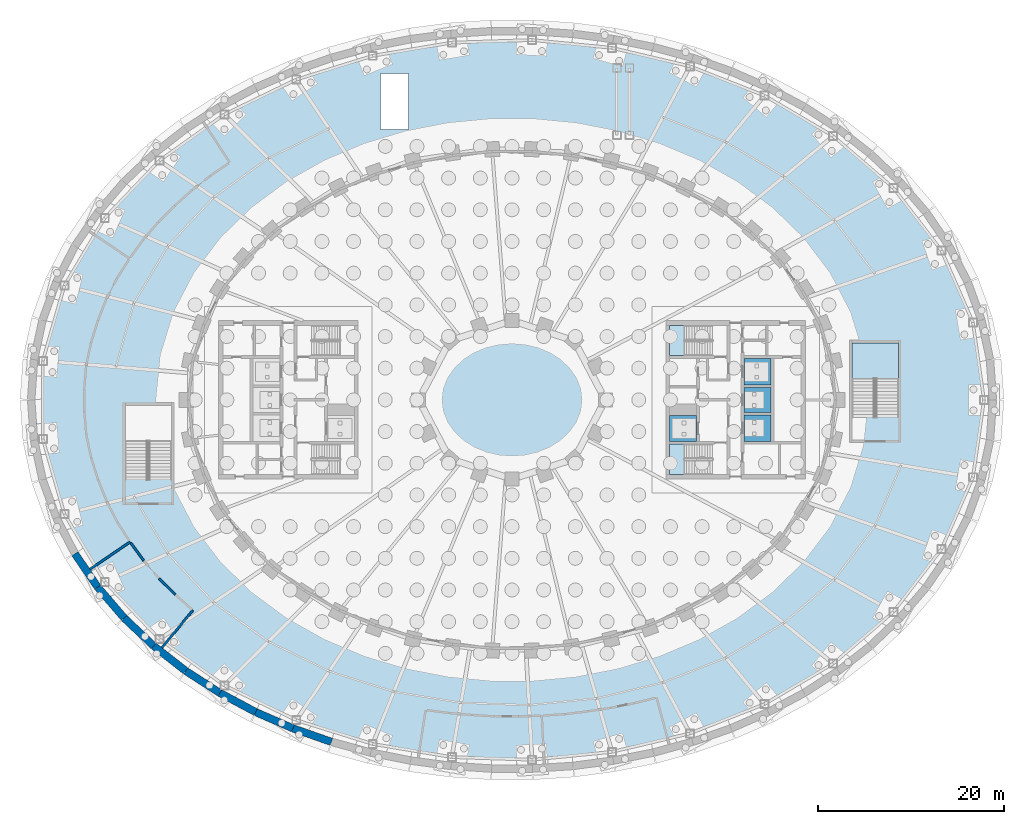
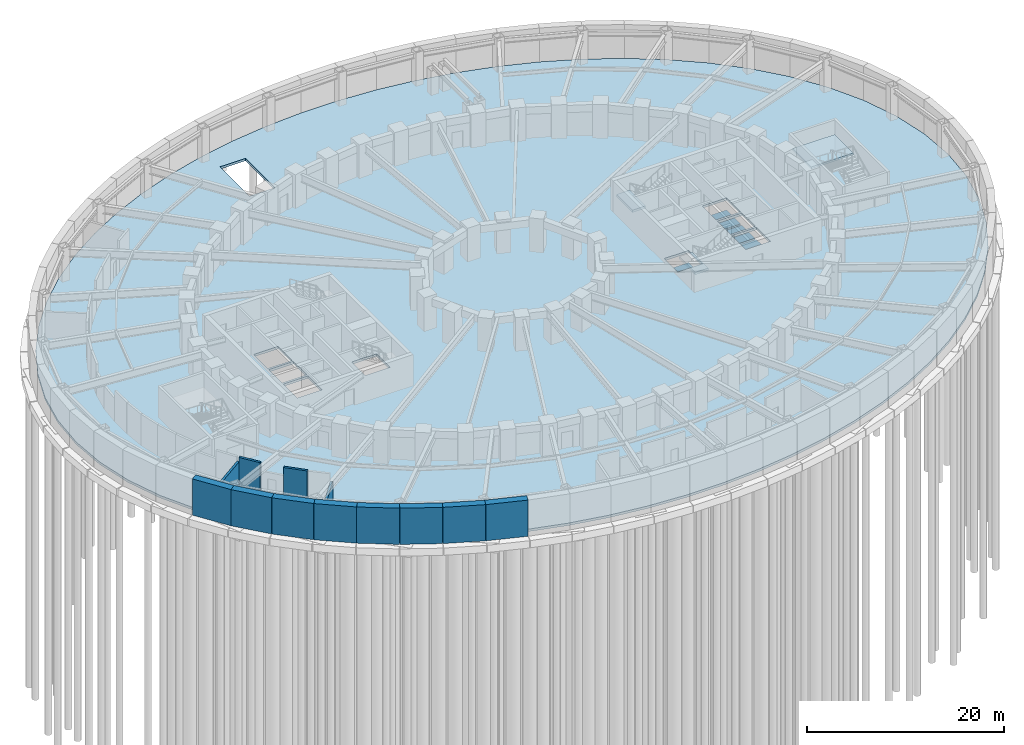
# One storey, part 9 of 19: 12 walls, 8 slabs, 3 elements without a shape of their own.
"""IFC4 building model written with IfcOpenShell, lengths in metres."""

import ifcopenshell
import ifcopenshell.guid

model = None  # the IFC model being written
_history = None  # IfcOwnerHistory: only IFC2X3 demands one
_inside = {}  # id of a spatial element -> (the spatial element, [elements in it])
_under = {}  # id of a project, library or spatial element -> (it, [spatial elements below it])
_declared = {}  # id of a project -> (the project, [libraries it declares])
_typed = {}  # id of a type object -> (the type object, [elements of that type])
_made_of = {}  # id of a material, layer set ... -> (it, [elements and type objects made of it])


def new_model(schema):
    """Start an empty IFC model of exactly this schema.

    Asked for "IFC4X3", IfcOpenShell would pick the latest addendum, in which some entities
    have other attributes; the version numbers below select the first issue.
    IFC2X3 requires an IfcOwnerHistory on every rooted entity: one is made here for all.
    """
    global model, _history
    if schema == "IFC4X3":
        model = ifcopenshell.file(schema_version=(4, 3, 0, 0))
    else:
        model = ifcopenshell.file(schema=schema)
    _inside.clear()
    _under.clear()
    _declared.clear()
    _typed.clear()
    _made_of.clear()
    _history = None
    if model.schema == "IFC2X3":
        org = make("IfcOrganization", Name="unknown")
        user = make(
            "IfcPersonAndOrganization",
            ThePerson=make("IfcPerson", FamilyName="unknown"),
            TheOrganization=org,
        )
        app = make(
            "IfcApplication",
            ApplicationDeveloper=org,
            Version="unknown",
            ApplicationFullName="unknown",
            ApplicationIdentifier="unknown",
        )
        _history = make(
            "IfcOwnerHistory",
            OwningUser=user,
            OwningApplication=app,
            ChangeAction="ADDED",
            CreationDate=0,
        )
    return model


def make(cls, **values):
    """One entity of the class cls with the attributes given. An attribute that is None is left unset."""
    return model.create_entity(
        cls, **{name: value for name, value in values.items() if value is not None}
    )


def rooted(cls, **values):
    """An entity with a GlobalId (a new one), such as an element, a storey or a relation."""
    return make(cls, GlobalId=ifcopenshell.guid.new(), OwnerHistory=_history, **values)


def si_unit(unit_type, name, prefix=None):
    """IfcSIUnit, for example si_unit("LENGTHUNIT", "METRE", prefix="MILLI")."""
    return make("IfcSIUnit", UnitType=unit_type, Prefix=prefix, Name=name)


def assignment(units):
    """IfcUnitAssignment: the units of a project."""
    return None if units is None else make("IfcUnitAssignment", Units=units)


def point(xyz):
    """IfcCartesianPoint."""
    return None if xyz is None else make("IfcCartesianPoint", Coordinates=xyz)


def direction(xyz):
    """IfcDirection."""
    return None if xyz is None else make("IfcDirection", DirectionRatios=xyz)


def frame(location, z_axis=None, x_axis=None):
    """IfcAxis2Placement3D, a coordinate frame: its origin and axes. An axis left out is left unset."""
    return make(
        "IfcAxis2Placement3D",
        Location=point(location),
        Axis=direction(z_axis),
        RefDirection=direction(x_axis),
    )


def frame_2d(location, x_axis=None):
    """IfcAxis2Placement2D, a coordinate frame in the plane: its origin and x axis."""
    return make(
        "IfcAxis2Placement2D", Location=point(location), RefDirection=direction(x_axis)
    )


def origin():
    """The frame at (0, 0, 0) with its axes left unset."""
    return frame((0.0, 0.0, 0.0))


def place(relative_to, where):
    """IfcLocalPlacement: puts the frame where relative to a parent placement (None: the world)."""
    return make(
        "IfcLocalPlacement", PlacementRelTo=relative_to, RelativePlacement=where
    )


def context(
    kind, dimensions, precision=None, world=None, true_north=None, identifier=None
):
    """IfcGeometricRepresentationContext, for example the 3D "Model" context."""
    return make(
        "IfcGeometricRepresentationContext",
        ContextIdentifier=identifier,
        ContextType=kind,
        CoordinateSpaceDimension=dimensions,
        Precision=precision,
        WorldCoordinateSystem=world,
        TrueNorth=true_north,
    )


def subcontext(parent, identifier, kind, view, scale=None):
    """IfcGeometricRepresentationSubContext, for example "Body" below "Model"."""
    return make(
        "IfcGeometricRepresentationSubContext",
        ContextIdentifier=identifier,
        ContextType=kind,
        ParentContext=parent,
        TargetScale=scale,
        TargetView=view,
    )


def project(units=None, contexts=None):
    """IfcProject with its units and contexts."""
    return rooted(
        "IfcProject",
        Name="project",
        RepresentationContexts=contexts,
        UnitsInContext=assignment(units),
    )


def spatial(cls, under=None, at=None, **own):
    """A site, building, storey or space (cls), placed at a placement, below another one or the project."""
    s = rooted(cls, ObjectPlacement=at, **own)
    if under is not None:
        _under.setdefault(under.id(), (under, []))[1].append(s)
    return s


def polyline(points):
    """IfcPolyline through the points."""
    return make("IfcPolyline", Points=[point(p) for p in points])


def profile(cls, at=None, kind="AREA", **sizes):
    """A parametric profile (cls). Its sizes go by their IFC names, for example OverallWidth=200.0."""
    return make(cls, ProfileType=kind, Position=at, **sizes)


def rectangle(**sizes):
    """IfcRectangleProfileDef."""
    return profile("IfcRectangleProfileDef", **sizes)


def outline(outer, holes=None, kind="AREA"):
    """IfcArbitraryClosedProfileDef: a profile drawn as a closed curve; with holes, ...WithVoids."""
    if holes is None:
        return make("IfcArbitraryClosedProfileDef", ProfileType=kind, OuterCurve=outer)
    return make(
        "IfcArbitraryProfileDefWithVoids",
        ProfileType=kind,
        OuterCurve=outer,
        InnerCurves=holes,
    )


def extrude(swept, where, along, depth):
    """IfcExtrudedAreaSolid: the profile swept, set in the frame where, extruded along a direction by depth."""
    return make(
        "IfcExtrudedAreaSolid",
        SweptArea=swept,
        Position=where,
        ExtrudedDirection=direction(along),
        Depth=depth,
    )


def shape(context_of_items, identifier, shape_type, items):
    """IfcShapeRepresentation: the items that make up one representation, for example the "Body"."""
    return make(
        "IfcShapeRepresentation",
        ContextOfItems=context_of_items,
        RepresentationIdentifier=identifier,
        RepresentationType=shape_type,
        Items=items,
    )


def material(Name=None, Category=None):
    """IfcMaterial."""
    return make("IfcMaterial", Name=Name, Category=Category)


def layer(
    of_material, thickness, ventilated=None, Name=None, Category=None, Priority=None
):
    """IfcMaterialLayer: one layer of a wall or slab, of a material (None: an air gap)."""
    return make(
        "IfcMaterialLayer",
        Material=of_material,
        LayerThickness=thickness,
        IsVentilated=ventilated,
        Name=Name,
        Category=Category,
        Priority=Priority,
    )


def layer_set(layers, Name=None):
    """IfcMaterialLayerSet."""
    return make("IfcMaterialLayerSet", MaterialLayers=layers, LayerSetName=Name)


def made_of(thing, what):
    """Note that an element or type object is made of a material, layer set ...; save() writes the relation."""
    if what is not None:
        _made_of.setdefault(what.id(), (what, []))[1].append(thing)
    return thing


def type_object(cls, material=None, **own):
    """A type object (cls), such as IfcWallType, which elements share."""
    return made_of(rooted(cls, **own), material)


def element(
    cls,
    number,
    at=None,
    inside=None,
    cuts=None,
    type_object=None,
    material=None,
    context=None,
    identifier="Body",
    shape_type=None,
    held_by="IfcProductDefinitionShape",
    body=None,
    shapes=None,
    **own,
):
    """One element of the class cls, such as IfcWall. Its Tag is "e" and its number.

    at: its placement. inside: the storey or other place that contains it. cuts: it is an
    opening in that element (IfcRelVoidsElement). A single representation is given by context,
    identifier, shape_type and body (its items); several are given by shapes. held_by: the class
    of the entity that holds the representations. save() writes the other relations.
    """
    e = rooted(cls, Tag="e%d" % number, ObjectPlacement=at, **own)
    if body is not None:
        shapes = [shape(context, identifier, shape_type, body)]
    if shapes is not None:
        e.Representation = make(held_by, Representations=shapes)
    if inside is not None:
        _inside.setdefault(inside.id(), (inside, []))[1].append(e)
    if cuts is not None:
        rooted(
            "IfcRelVoidsElement", RelatingBuildingElement=cuts, RelatedOpeningElement=e
        )
    if type_object is not None:
        _typed.setdefault(type_object.id(), (type_object, []))[1].append(e)
    return made_of(e, material)


def aggregate(whole, parts):
    """IfcRelAggregates: a whole, such as a stair, and the parts it consists of."""
    return rooted("IfcRelAggregates", RelatingObject=whole, RelatedObjects=parts)


def save(model, path):
    """Write the relations noted so far, then the file.

    IfcRelAggregates (storeys below a building ...), IfcRelContainedInSpatialStructure (elements
    in a storey), IfcRelDefinesByType, IfcRelAssociatesMaterial and IfcRelDeclares: one each for
    every whole, place, type object, material and project.
    """
    for whole, parts in _under.values():
        aggregate(whole, parts)
    for where, things in _inside.values():
        rooted(
            "IfcRelContainedInSpatialStructure",
            RelatedElements=things,
            RelatingStructure=where,
        )
    for kind, things in _typed.values():
        rooted("IfcRelDefinesByType", RelatedObjects=things, RelatingType=kind)
    for what, things in _made_of.values():
        rooted("IfcRelAssociatesMaterial", RelatedObjects=things, RelatingMaterial=what)
    for by, libraries in _declared.values():
        rooted("IfcRelDeclares", RelatingContext=by, RelatedDefinitions=libraries)
    model.write(path)


model = new_model("IFC4")

# Units and contexts
model_context = context("Model", 3, precision=1e-05, world=origin(), true_north=direction((0.0, 1.0)))
body_context = subcontext(model_context, "Body", "Model", "MODEL_VIEW")
ifc_project = project(units=[si_unit("LENGTHUNIT", "METRE"), si_unit("AREAUNIT", "SQUARE_METRE"), si_unit("VOLUMEUNIT", "CUBIC_METRE"), si_unit("PLANEANGLEUNIT", "RADIAN"), si_unit("MASSUNIT", "GRAM", prefix="KILO")], contexts=[model_context])

# Site, building, storey
site_placement = place(None, origin())
site = spatial("IfcSite", under=ifc_project, at=site_placement, CompositionType="ELEMENT")
building_placement = place(site_placement, origin())
building = spatial("IfcBuilding", under=site, at=building_placement, Name="Noorbagh Ring Tower", CompositionType="ELEMENT")
storey_placement = place(building_placement, frame((0.0, 0.0, -8.39990234375)))
storey = spatial("IfcBuildingStorey", under=building, at=storey_placement, Name="B2", CompositionType="ELEMENT", Elevation=-8.39990234375)

# Slabs
ifc_material_1 = material(Name="Concrete C40/50", Category="concrete")
ifc_layer_1 = layer(ifc_material_1, 3.300048828125)
ifc_layer_set_1 = layer_set([ifc_layer_1], Name="Concrete C40/50")
slab_type_1 = type_object("IfcSlabType", Name="CORE-PIT-SLAB-DEEP", PredefinedType="BASESLAB", material=ifc_layer_set_1)
slab_1_placement = place(storey_placement, frame((0.0, 0.0, -4.800048828125)))
element("IfcSlab", 1, at=slab_1_placement, inside=storey, type_object=slab_type_1, Name="Lift pit floor FF2", PredefinedType="BASESLAB", context=body_context, shape_type="SweptSolid", body=[
    extrude(outline(polyline([(16.89990234375, -4.449951171875), (19.800048828125, -4.449951171875), (19.800048828125, -1.699951171875), (16.89990234375, -1.699951171875), (16.89990234375, -4.449951171875)])), origin(), (0.0, 0.0, 1.0), 3.300048828125),
])
slab_2_placement = place(storey_placement, frame((0.0, 0.0, -4.800048828125)))
element("IfcSlab", 2, at=slab_2_placement, inside=storey, type_object=slab_type_1, Name="Lift pit floor LR3", PredefinedType="BASESLAB", context=body_context, shape_type="SweptSolid", body=[
    extrude(outline(polyline([(24.89990234375, -4.449951171875), (27.800048828125, -4.449951171875), (27.800048828125, -1.60009765625), (24.89990234375, -1.60009765625), (24.89990234375, -4.449951171875)])), origin(), (0.0, 0.0, 1.0), 3.300048828125),
])
slab_3_placement = place(storey_placement, frame((0.0, 0.0, -4.800048828125)))
element("IfcSlab", 3, at=slab_3_placement, inside=storey, type_object=slab_type_1, Name="Lift pit floor LR4", PredefinedType="BASESLAB", context=body_context, shape_type="SweptSolid", body=[
    extrude(outline(polyline([(24.89990234375, -1.35009765625), (27.800048828125, -1.35009765625), (27.800048828125, 1.35009765625), (24.89990234375, 1.35009765625), (24.89990234375, -1.35009765625)])), origin(), (0.0, 0.0, 1.0), 3.300048828125),
])
slab_4_placement = place(storey_placement, frame((0.0, 0.0, -4.800048828125)))
element("IfcSlab", 4, at=slab_4_placement, inside=storey, type_object=slab_type_1, Name="Lift pit floor SV2", PredefinedType="BASESLAB", context=body_context, shape_type="SweptSolid", body=[
    extrude(outline(polyline([(24.89990234375, 1.60009765625), (27.800048828125, 1.60009765625), (27.800048828125, 4.449951171875), (24.89990234375, 4.449951171875), (24.89990234375, 1.60009765625)])), origin(), (0.0, 0.0, 1.0), 3.300048828125),
])

# Stair, slab
ifc_material_2 = material(Name="Concrete C40/50", Category="concrete")
stair_type_1 = type_object("IfcStairType", Name="CORE-STAIR", PredefinedType="HALF_TURN_STAIR", material=ifc_material_2)
stair_1_placement = place(storey_placement, origin())
stair_1 = element("IfcStair", 5, at=stair_1_placement, inside=storey, type_object=stair_type_1, Name="B2 Exit stair ST3", PredefinedType="HALF_TURN_STAIR")
ifc_material_3 = material(Name="Concrete C40/50", Category="concrete")
ifc_layer_2 = layer(ifc_material_3, 0.300048828125)
ifc_layer_set_2 = layer_set([ifc_layer_2], Name="Concrete C40/50")
slab_type_2 = type_object("IfcSlabType", Name="CORE-STAIR-LANDING", PredefinedType="LANDING", material=ifc_layer_set_2)
slab_5_placement = place(storey_placement, frame((0.0, 0.0, 1.7998046875)))
slab_5 = element("IfcSlab", 6, at=slab_5_placement, type_object=slab_type_2, Name="ST3 landing 1", PredefinedType="LANDING", context=body_context, shape_type="SweptSolid", body=[
    extrude(outline(polyline([(18.449951171875, 8.0), (16.89990234375, 8.0), (16.89990234375, 4.75), (18.449951171875, 4.75), (18.449951171875, 8.0)])), origin(), (0.0, 0.0, 1.0), 0.300048828125),
])
aggregate(stair_1, [slab_5])

stair_2_placement = place(storey_placement, origin())
stair_2 = element("IfcStair", 7, at=stair_2_placement, inside=storey, type_object=stair_type_1, Name="B2 Exit stair ST4", PredefinedType="HALF_TURN_STAIR")
slab_6_placement = place(storey_placement, frame((0.0, 0.0, 1.7998046875)))
slab_6 = element("IfcSlab", 8, at=slab_6_placement, type_object=slab_type_2, Name="ST4 landing 1", PredefinedType="LANDING", context=body_context, shape_type="SweptSolid", body=[
    extrude(outline(polyline([(18.449951171875, -4.75), (16.89990234375, -4.75), (16.89990234375, -8.0), (18.449951171875, -8.0), (18.449951171875, -4.75)])), origin(), (0.0, 0.0, 1.0), 0.300048828125),
])
aggregate(stair_2, [slab_6])

ifc_material_4 = material(Name="Concrete C40/50", Category="concrete")
stair_type_2 = type_object("IfcStairType", Name="GND-STAIR", PredefinedType="HALF_TURN_STAIR", material=ifc_material_4)
stair_3_placement = place(storey_placement, origin())
stair_3 = element("IfcStair", 9, at=stair_3_placement, inside=storey, type_object=stair_type_2, Name="B2 exit stair ST-P2", PredefinedType="HALF_TURN_STAIR")
ifc_material_5 = material(Name="Concrete C40/50", Category="concrete")
ifc_layer_3 = layer(ifc_material_5, 0.25)
ifc_layer_set_3 = layer_set([ifc_layer_3], Name="Concrete C40/50")
slab_type_3 = type_object("IfcSlabType", Name="GND-STAIR-LANDING", PredefinedType="LANDING", material=ifc_layer_set_3)
slab_7_placement = place(storey_placement, frame((0.0, 0.0, 1.849853515625)))
slab_7 = element("IfcSlab", 10, at=slab_7_placement, type_object=slab_type_3, Name="ST-P2 landing 1", PredefinedType="LANDING", context=body_context, shape_type="SweptSolid", body=[
    extrude(outline(polyline([(41.449951171875, 2.300048828125), (41.449951171875, 6.10009765625), (36.5, 6.10009765625), (36.5, 2.300048828125), (41.449951171875, 2.300048828125)])), origin(), (0.0, 0.0, 1.0), 0.25),
])
aggregate(stair_3, [slab_7])

# Slab
ifc_material_6 = material(Name="Concrete C40/50", Category="concrete")
ifc_layer_4 = layer(ifc_material_6, 0.300048828125)
ifc_layer_set_4 = layer_set([ifc_layer_4], Name="Concrete C40/50")
slab_type_4 = type_object("IfcSlabType", Name="STR-SLAB-ON-GROUND-300", PredefinedType="BASESLAB", material=ifc_layer_set_4)
slab_8_placement = place(storey_placement, frame((0.0, 0.0, -0.300048828125)))
element("IfcSlab", 11, at=slab_8_placement, inside=storey, type_object=slab_type_4, Name="B2/slab/1", PredefinedType="BASESLAB", context=body_context, shape_type="SweptSolid", body=[
    extrude(outline(polyline([(51.197998046875, 0.0), (50.89306640625, 4.26953125), (49.99072265625, 8.456787109375), (48.527099609375, 12.48779296875), (46.5546875, 16.30322265625), (44.1337890625, 19.85986328125), (41.32666015625, 23.1298828125), (38.192138671875, 26.097412109375), (34.783935546875, 28.755615234375), (31.1484375, 31.103515625), (27.326904296875, 33.1435546875), (23.35400390625, 34.8798828125), (19.26025390625, 36.317138671875), (15.07275390625, 37.460693359375), (10.814697265625, 38.314208984375), (6.5078125, 38.88134765625), (2.17236328125, 39.164306640625), (-2.17236328125, 39.164306640625), (-6.5078125, 38.88134765625), (-10.814697265625, 38.314208984375), (-15.07275390625, 37.460693359375), (-19.26025390625, 36.317138671875), (-23.35400390625, 34.8798828125), (-27.326904296875, 33.1435546875), (-31.1484375, 31.103515625), (-34.783935546875, 28.755615234375), (-38.192138671875, 26.097412109375), (-41.32666015625, 23.1298828125), (-44.1337890625, 19.85986328125), (-46.5546875, 16.30322265625), (-48.527099609375, 12.48779296875), (-49.99072265625, 8.456787109375), (-50.89306640625, 4.26953125), (-51.197998046875, 0.0), (-50.89306640625, -4.26953125), (-49.99072265625, -8.456787109375), (-48.527099609375, -12.48779296875), (-46.5546875, -16.30322265625), (-44.1337890625, -19.85986328125), (-41.32666015625, -23.1298828125), (-38.192138671875, -26.097412109375), (-34.783935546875, -28.755615234375), (-31.1484375, -31.103515625), (-27.326904296875, -33.1435546875), (-23.35400390625, -34.8798828125), (-19.26025390625, -36.317138671875), (-15.07275390625, -37.460693359375), (-10.814697265625, -38.314208984375), (-6.5078125, -38.88134765625), (-2.17236328125, -39.164306640625), (2.17236328125, -39.164306640625), (6.5078125, -38.88134765625), (10.814697265625, -38.314208984375), (15.07275390625, -37.460693359375), (19.26025390625, -36.317138671875), (23.35400390625, -34.8798828125), (27.326904296875, -33.1435546875), (31.1484375, -31.103515625), (34.783935546875, -28.755615234375), (38.192138671875, -26.097412109375), (41.32666015625, -23.1298828125), (44.1337890625, -19.85986328125), (46.5546875, -16.30322265625), (48.527099609375, -12.48779296875), (49.99072265625, -8.456787109375), (50.89306640625, -4.26953125), (51.197998046875, 0.0)]), holes=[polyline([(24.89990234375, -4.449951171875), (24.89990234375, -1.60009765625), (27.800048828125, -1.60009765625), (27.800048828125, -4.449951171875), (24.89990234375, -4.449951171875)]), polyline([(24.89990234375, -1.35009765625), (24.89990234375, 1.35009765625), (27.800048828125, 1.35009765625), (27.800048828125, -1.35009765625), (24.89990234375, -1.35009765625)]), polyline([(24.89990234375, 4.449951171875), (27.800048828125, 4.449951171875), (27.800048828125, 1.60009765625), (24.89990234375, 1.60009765625), (24.89990234375, 4.449951171875)]), polyline([(16.89990234375, -4.449951171875), (16.89990234375, -1.699951171875), (19.800048828125, -1.699951171875), (19.800048828125, -4.449951171875), (16.89990234375, -4.449951171875)]), polyline([(-14.10009765625, 35.0), (-11.10009765625, 35.0), (-11.10009765625, 29.0), (-14.10009765625, 29.0), (-14.10009765625, 35.0)]), polyline([(-16.89990234375, -1.699951171875), (-16.89990234375, -4.449951171875), (-19.800048828125, -4.449951171875), (-19.800048828125, -1.699951171875), (-16.89990234375, -1.699951171875)]), polyline([(-24.89990234375, -1.60009765625), (-24.89990234375, -4.449951171875), (-27.800048828125, -4.449951171875), (-27.800048828125, -1.60009765625), (-24.89990234375, -1.60009765625)]), polyline([(-24.89990234375, 1.35009765625), (-24.89990234375, -1.35009765625), (-27.800048828125, -1.35009765625), (-27.800048828125, 1.35009765625), (-24.89990234375, 1.35009765625)]), polyline([(-24.89990234375, 4.449951171875), (-24.89990234375, 1.60009765625), (-27.800048828125, 1.60009765625), (-27.800048828125, 4.449951171875), (-24.89990234375, 4.449951171875)])]), origin(), (0.0, 0.0, 1.0), 0.300048828125),
])

# Walls
ifc_material_7 = material(Name="Concrete C40/50", Category="concrete")
ifc_layer_5 = layer(ifc_material_7, 0.25)
ifc_layer_set_5 = layer_set([ifc_layer_5], Name="Concrete C40/50")
wall_type_1 = type_object("IfcWallType", Name="GND-WALL-250", PredefinedType="SOLIDWALL", material=ifc_layer_set_5)
wall_1_placement = place(storey_placement, frame((-40.982666015625, -15.247802734375, 0.0), z_axis=(0.0, 0.0, 1.0), x_axis=(-0.826124026694, -0.563488325096, 0.0)))
element("IfcWall", 12, at=wall_1_placement, inside=storey, type_object=wall_type_1, Name="Fire water tank room", PredefinedType="SOLIDWALL", context=body_context, shape_type="SweptSolid", body=[
    extrude(rectangle(XDim=5.199951171875, YDim=0.25, at=frame_2d((2.60009765625, 0.0))), origin(), (0.0, 0.0, 1.0), 3.2998046875),
])
wall_2_placement = place(storey_placement, frame((-40.908935546875, -15.3486328125, 0.0), z_axis=(0.0, 0.0, 1.0), x_axis=(0.590109768625, -0.807323021457, 0.0)))
element("IfcWall", 13, at=wall_2_placement, inside=storey, type_object=wall_type_1, Name="Pump room", PredefinedType="SOLIDWALL", context=body_context, shape_type="SweptSolid", body=[
    extrude(rectangle(XDim=2.36474609375, YDim=0.25, at=frame_2d((1.182373046875, 0.0))), origin(), (0.0, 0.0, 1.0), 3.89990234375),
])
wall_3_placement = place(storey_placement, frame((-37.8759765625, -19.165283203125, 0.0), z_axis=(0.0, 0.0, 1.0), x_axis=(0.711906535722, -0.702274223075, 0.0)))
element("IfcWall", 14, at=wall_3_placement, inside=storey, type_object=wall_type_1, Name="Pump room", PredefinedType="SOLIDWALL", context=body_context, shape_type="SweptSolid", body=[
    extrude(rectangle(XDim=2.48388671875, YDim=0.25, at=frame_2d((1.241943359375, 0.0))), origin(), (0.0, 0.0, 1.0), 3.89990234375),
])
wall_4_placement = place(storey_placement, frame((-34.243408203125, -22.58251953125, 0.0), z_axis=(0.0, 0.0, 1.0), x_axis=(-0.639135501732, -0.76909414926, 0.0)))
element("IfcWall", 15, at=wall_4_placement, inside=storey, type_object=wall_type_1, Name="Pump room", PredefinedType="SOLIDWALL", context=body_context, shape_type="SweptSolid", body=[
    extrude(rectangle(XDim=5.199951171875, YDim=0.25, at=frame_2d((2.60009765625, 0.0))), origin(), (0.0, 0.0, 1.0), 2.89990234375),
])
ifc_material_8 = material(Name="Concrete C40/50", Category="concrete")
ifc_layer_6 = layer(ifc_material_8, 0.800048828125)
ifc_layer_set_6 = layer_set([ifc_layer_6], Name="Concrete C40/50")
wall_type_2 = type_object("IfcWallType", Name="STR-RETAINING-WALL", PredefinedType="SOLIDWALL", material=ifc_layer_set_6)
wall_5_placement = place(storey_placement, frame((-46.89892578125, -16.50830078125, -0.300048828125), z_axis=(0.0, 0.0, 1.0), x_axis=(0.562667738859, -0.82668314102, 0.0)))
element("IfcWall", 16, at=wall_5_placement, inside=storey, type_object=wall_type_2, Name="B2/retwall/38", PredefinedType="SOLIDWALL", context=body_context, shape_type="SweptSolid", body=[
    extrude(rectangle(XDim=4.348876953125, YDim=0.800048828125, at=frame_2d((2.17431640625, 0.0))), origin(), (0.0, 0.0, 1.0), 4.5),
])
wall_6_placement = place(storey_placement, frame((-44.451904296875, -20.103515625, -0.300048828125), z_axis=(0.0, 0.0, 1.0), x_axis=(0.651387059497, -0.758745608699, 0.0)))
element("IfcWall", 17, at=wall_6_placement, inside=storey, type_object=wall_type_2, Name="B2/retwall/39", PredefinedType="SOLIDWALL", context=body_context, shape_type="SweptSolid", body=[
    extrude(rectangle(XDim=4.3525390625, YDim=0.800048828125, at=frame_2d((2.17626953125, 0.0))), origin(), (0.0, 0.0, 1.0), 4.5),
])
wall_7_placement = place(storey_placement, frame((-41.61669921875, -23.406005859375, -0.300048828125), z_axis=(0.0, 0.0, 1.0), x_axis=(0.72620446032, -0.687478786444, 0.0)))
element("IfcWall", 18, at=wall_7_placement, inside=storey, type_object=wall_type_2, Name="B2/retwall/40", PredefinedType="SOLIDWALL", context=body_context, shape_type="SweptSolid", body=[
    extrude(rectangle(XDim=4.356201171875, YDim=0.800048828125, at=frame_2d((2.17822265625, 0.0))), origin(), (0.0, 0.0, 1.0), 4.5),
])
wall_8_placement = place(storey_placement, frame((-38.453125, -26.40087890625, -0.300048828125), z_axis=(0.0, 0.0, 1.0), x_axis=(0.788491985196, -0.615045030288, 0.0)))
element("IfcWall", 19, at=wall_8_placement, inside=storey, type_object=wall_type_2, Name="B2/retwall/41", PredefinedType="SOLIDWALL", context=body_context, shape_type="SweptSolid", body=[
    extrude(rectangle(XDim=4.359375, YDim=0.800048828125, at=frame_2d((2.1796875, 0.0))), origin(), (0.0, 0.0, 1.0), 4.5),
])
wall_9_placement = place(storey_placement, frame((-35.015869140625, -29.08203125, -0.300048828125), z_axis=(0.0, 0.0, 1.0), x_axis=(0.840047348843, -0.542513088969, 0.0)))
element("IfcWall", 20, at=wall_9_placement, inside=storey, type_object=wall_type_2, Name="B2/retwall/42", PredefinedType="SOLIDWALL", context=body_context, shape_type="SweptSolid", body=[
    extrude(rectangle(XDim=4.362060546875, YDim=0.800048828125, at=frame_2d((2.18115234375, 0.0))), origin(), (0.0, 0.0, 1.0), 4.5),
])
wall_10_placement = place(storey_placement, frame((-31.3515625, -31.448486328125, -0.300048828125), z_axis=(0.0, 0.0, 1.0), x_axis=(0.882159305704, -0.47095112205, 0.0)))
element("IfcWall", 21, at=wall_10_placement, inside=storey, type_object=wall_type_2, Name="B2/retwall/43", PredefinedType="SOLIDWALL", context=body_context, shape_type="SweptSolid", body=[
    extrude(rectangle(XDim=4.364501953125, YDim=0.800048828125, at=frame_2d((2.18212890625, 0.0))), origin(), (0.0, 0.0, 1.0), 4.5),
])
wall_11_placement = place(storey_placement, frame((-27.50146484375, -33.50390625, -0.300048828125), z_axis=(0.0, 0.0, 1.0), x_axis=(0.916336904548, -0.400408138483, 0.0)))
element("IfcWall", 22, at=wall_11_placement, inside=storey, type_object=wall_type_2, Name="B2/retwall/44", PredefinedType="SOLIDWALL", context=body_context, shape_type="SweptSolid", body=[
    extrude(rectangle(XDim=4.3662109375, YDim=0.800048828125, at=frame_2d((2.18310546875, 0.0))), origin(), (0.0, 0.0, 1.0), 4.5),
])
wall_12_placement = place(storey_placement, frame((-23.50048828125, -35.252197265625, -0.300048828125), z_axis=(0.0, 0.0, 1.0), x_axis=(0.943526738033, -0.331296384853, 0.0)))
element("IfcWall", 23, at=wall_12_placement, inside=storey, type_object=wall_type_2, Name="B2/retwall/45", PredefinedType="SOLIDWALL", context=body_context, shape_type="SweptSolid", body=[
    extrude(rectangle(XDim=4.36767578125, YDim=0.800048828125, at=frame_2d((2.183837890625, 0.0))), origin(), (0.0, 0.0, 1.0), 4.5),
])

save(model, "model.ifc")
